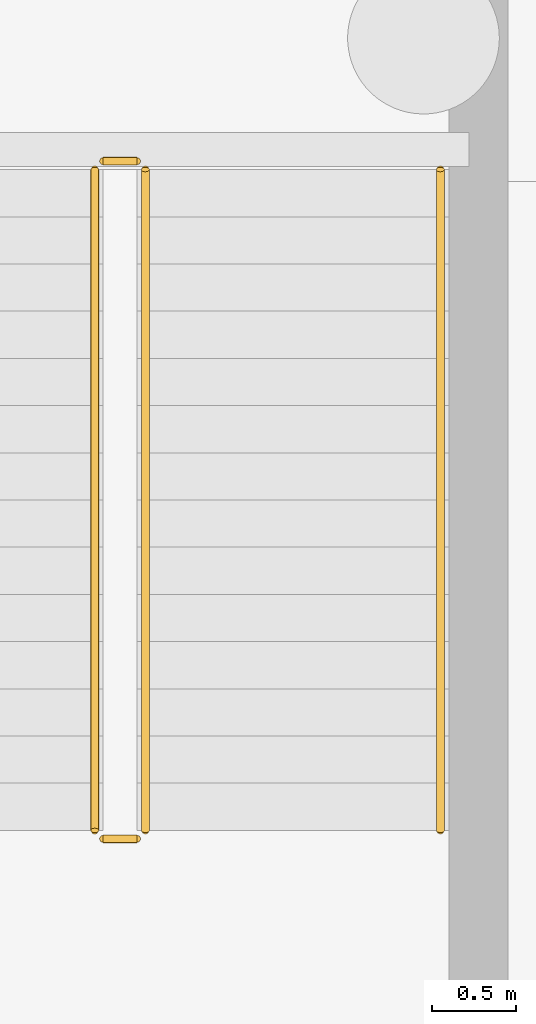
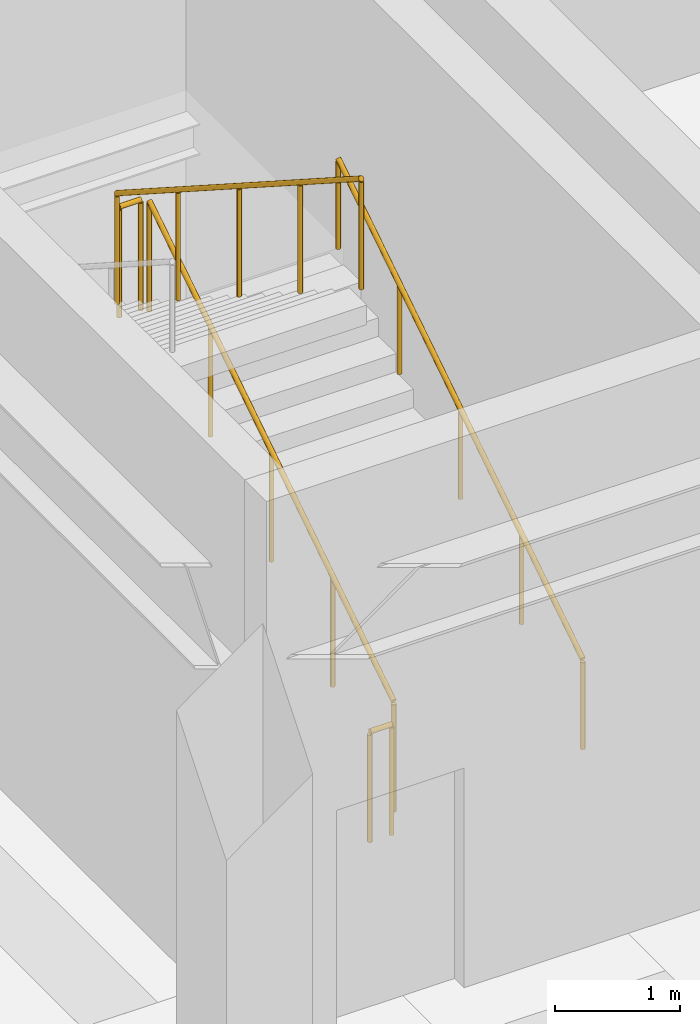
# One storey, part 63 of 69: 5 railings.
"""IFC4 building model written with IfcOpenShell, lengths in metres."""

from ifc_helpers import new_model, si_unit, direction, frame, origin, origin_2d, place, context, subcontext, project, spatial, circle, extrude, material, type_object, element, save


model = new_model("IFC4")

# Units and contexts
model_context = context("Model", 3, precision=1e-05, world=origin(), true_north=direction((0.0, 1.0)))
body_context = subcontext(model_context, "Body", "Model", "MODEL_VIEW")
ifc_project = project(units=[si_unit("LENGTHUNIT", "METRE"), si_unit("AREAUNIT", "SQUARE_METRE"), si_unit("VOLUMEUNIT", "CUBIC_METRE"), si_unit("PLANEANGLEUNIT", "RADIAN"), si_unit("MASSUNIT", "GRAM", prefix="KILO")], contexts=[model_context])

# Site, building, storey
site_placement = place(None, origin())
site = spatial("IfcSite", under=ifc_project, at=site_placement, CompositionType="ELEMENT")
building_placement = place(site_placement, origin())
building = spatial("IfcBuilding", under=site, at=building_placement, Name="Vaelkrest Opera House", CompositionType="ELEMENT")
storey_placement = place(building_placement, frame((0.0, 0.0, -5.39990234375)))
storey = spatial("IfcBuildingStorey", under=building, at=storey_placement, Name="B1", CompositionType="ELEMENT", Elevation=-5.39990234375)

# Railings
ifc_material = material(Name="Dark bronze anodized aluminium", Category="aluminium")
railing_type_1 = type_object("IfcRailingType", Name="GR02", PredefinedType="GUARDRAIL", material=ifc_material)
railing_1_placement = place(storey_placement, frame((-20.800048828125, -25.64990234375, 0.179931640625)))
element("IfcRailing", 1, at=railing_1_placement, inside=storey, type_object=railing_type_1, Name="B1 ST01 stair guard 1", PredefinedType="GUARDRAIL", context=body_context, shape_type="SweptSolid", body=[
    extrude(circle(Radius=0.02392578125, at=origin_2d()), frame((0.0, 0.0, 1.076171875), z_axis=(0.0, 0.841171666519, 0.540768182723), x_axis=(-1.0, 0.0, 0.0)), (0.0, 0.0, 1.0), 4.66015625),
    extrude(circle(Radius=0.02099609375, at=origin_2d()), origin(), (0.0, 0.0, 1.0), 1.052001953125),
    extrude(circle(Radius=0.02099609375, at=origin_2d()), frame((0.0, 0.97998046875, 0.6298828125)), (0.0, 0.0, 1.0), 1.052001953125),
    extrude(circle(Radius=0.02099609375, at=origin_2d()), frame((0.0, 1.9599609375, 1.260009765625)), (0.0, 0.0, 1.0), 1.052001953125),
    extrude(circle(Radius=0.02099609375, at=origin_2d()), frame((0.0, 2.93994140625, 1.89013671875)), (0.0, 0.0, 1.0), 1.052001953125),
    extrude(circle(Radius=0.02099609375, at=origin_2d()), frame((0.0, 3.919921875, 2.52001953125)), (0.0, 0.0, 1.0), 1.052001953125),
])
railing_2_placement = place(storey_placement, frame((-20.85009765625, -21.679931640625, 2.699951171875)))
element("IfcRailing", 2, at=railing_2_placement, inside=storey, type_object=railing_type_1, Name="B1 ST01 stair guard 2", PredefinedType="GUARDRAIL", context=body_context, shape_type="SweptSolid", body=[
    extrude(circle(Radius=0.02392578125, at=origin_2d()), frame((0.0, 0.0, 1.076171875), z_axis=(-1.0, 0.0, 0.0), x_axis=(0.0, -1.0, 0.0)), (0.0, 0.0, 1.0), 0.199951171875),
    extrude(circle(Radius=0.02099609375, at=origin_2d()), origin(), (0.0, 0.0, 1.0), 1.052001953125),
    extrude(circle(Radius=0.02099609375, at=origin_2d()), frame((-0.199951171875, 0.0, 0.0)), (0.0, 0.0, 1.0), 1.052001953125),
])
railing_3_placement = place(storey_placement, frame((-21.10009765625, -21.72998046875, 2.8798828125)))
element("IfcRailing", 3, at=railing_3_placement, inside=storey, type_object=railing_type_1, Name="B1 ST01 stair guard 3", PredefinedType="GUARDRAIL", context=body_context, shape_type="SweptSolid", body=[
    extrude(circle(Radius=0.02392578125, at=origin_2d()), frame((0.0, 0.0, 1.076171875), z_axis=(0.0, -0.841171666519, 0.540768182723), x_axis=(1.0, 0.0, 0.0)), (0.0, 0.0, 1.0), 4.66015625),
    extrude(circle(Radius=0.02099609375, at=origin_2d()), origin(), (0.0, 0.0, 1.0), 1.052001953125),
    extrude(circle(Radius=0.02099609375, at=origin_2d()), frame((0.0, -0.97998046875, 0.6298828125)), (0.0, 0.0, 1.0), 1.052001953125),
    extrude(circle(Radius=0.02099609375, at=origin_2d()), frame((0.0, -1.9599609375, 1.260009765625)), (0.0, 0.0, 1.0), 1.052001953125),
    extrude(circle(Radius=0.02099609375, at=origin_2d()), frame((0.0, -2.93994140625, 1.89013671875)), (0.0, 0.0, 1.0), 1.052001953125),
    extrude(circle(Radius=0.02099609375, at=origin_2d()), frame((0.0, -3.919921875, 2.52001953125)), (0.0, 0.0, 1.0), 1.052001953125),
])
railing_4_placement = place(storey_placement, frame((-20.85009765625, -25.699951171875, 0.0)))
element("IfcRailing", 4, at=railing_4_placement, inside=storey, type_object=railing_type_1, Name="B1 ST01 stair guard 4", PredefinedType="GUARDRAIL", context=body_context, shape_type="SweptSolid", body=[
    extrude(circle(Radius=0.02392578125, at=origin_2d()), frame((0.0, 0.0, 1.076171875), z_axis=(-1.0, 0.0, 0.0), x_axis=(0.0, -1.0, 0.0)), (0.0, 0.0, 1.0), 0.199951171875),
    extrude(circle(Radius=0.02099609375, at=origin_2d()), origin(), (0.0, 0.0, 1.0), 1.052001953125),
    extrude(circle(Radius=0.02099609375, at=origin_2d()), frame((-0.199951171875, 0.0, 0.0)), (0.0, 0.0, 1.0), 1.052001953125),
])
railing_type_2 = type_object("IfcRailingType", Name="HR02", PredefinedType="HANDRAIL", material=ifc_material)
railing_5_placement = place(storey_placement, frame((-19.050048828125, -25.64990234375, 0.179931640625)))
element("IfcRailing", 5, at=railing_5_placement, inside=storey, type_object=railing_type_2, Name="B1 ST01 stair handrail 1", PredefinedType="HANDRAIL", context=body_context, shape_type="SweptSolid", body=[
    extrude(circle(Radius=0.02392578125, at=origin_2d()), frame((0.0, 0.0, 0.8759765625), z_axis=(0.0, 0.841171666519, 0.540768182723), x_axis=(-1.0, 0.0, 0.0)), (0.0, 0.0, 1.0), 4.66015625),
    extrude(circle(Radius=0.02099609375, at=origin_2d()), origin(), (0.0, 0.0, 1.0), 0.851806640625),
    extrude(circle(Radius=0.02099609375, at=origin_2d()), frame((0.0, 0.97998046875, 0.6298828125)), (0.0, 0.0, 1.0), 0.851806640625),
    extrude(circle(Radius=0.02099609375, at=origin_2d()), frame((0.0, 1.9599609375, 1.260009765625)), (0.0, 0.0, 1.0), 0.851806640625),
    extrude(circle(Radius=0.02099609375, at=origin_2d()), frame((0.0, 2.93994140625, 1.89013671875)), (0.0, 0.0, 1.0), 0.851806640625),
    extrude(circle(Radius=0.02099609375, at=origin_2d()), frame((0.0, 3.919921875, 2.52001953125)), (0.0, 0.0, 1.0), 0.851806640625),
])

save(model, "model.ifc")
